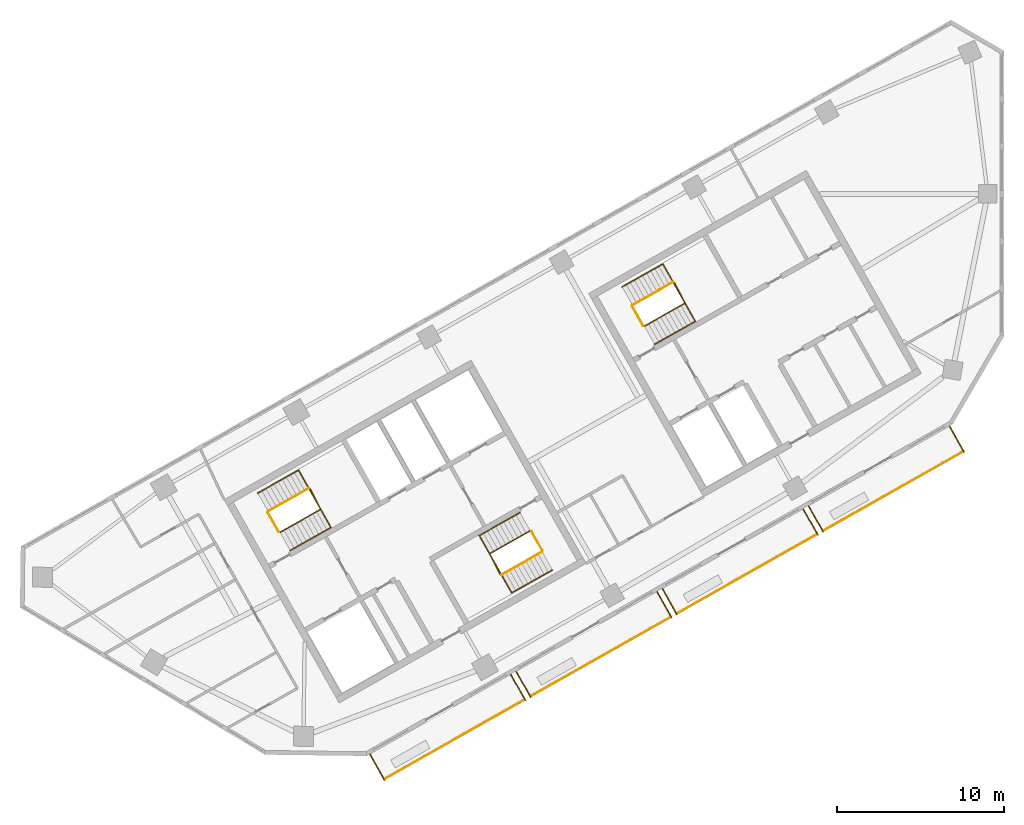
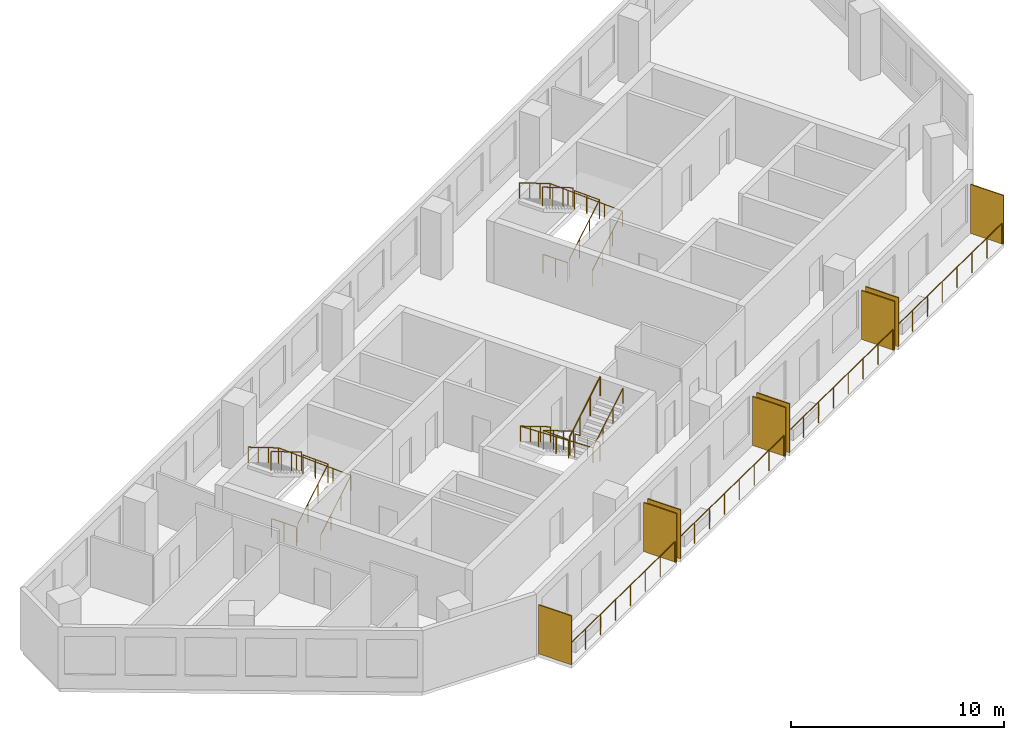
# One storey, part 6 of 7: 16 railings, 8 shading devices.
"""IFC4 building model written with IfcOpenShell, lengths in metres."""

from ifc_helpers import new_model, si_unit, direction, frame, origin, origin_2d, place, context, subcontext, project, spatial, rectangle, circle, extrude, material, layer, layer_set, type_object, element, save


model = new_model("IFC4")

# Units and contexts
model_context = context("Model", 3, precision=1e-05, world=origin(), true_north=direction((0.0, 1.0)))
body_context = subcontext(model_context, "Body", "Model", "MODEL_VIEW")
ifc_project = project(units=[si_unit("LENGTHUNIT", "METRE"), si_unit("AREAUNIT", "SQUARE_METRE"), si_unit("VOLUMEUNIT", "CUBIC_METRE"), si_unit("PLANEANGLEUNIT", "RADIAN"), si_unit("MASSUNIT", "GRAM", prefix="KILO")], contexts=[model_context])

# Site, building, storey
site_placement = place(None, origin())
site = spatial("IfcSite", under=ifc_project, at=site_placement, CompositionType="ELEMENT")
building_placement = place(site_placement, origin())
building = spatial("IfcBuilding", under=site, at=building_placement, Name="Binnacle Exchange Tower", CompositionType="ELEMENT")
storey_placement = place(building_placement, frame((0.0, 0.0, 296.89990234375)))
storey = spatial("IfcBuildingStorey", under=building, at=storey_placement, Name="L66", CompositionType="ELEMENT", Elevation=296.89990234375)

# Railings
ifc_material_1 = material(Name="Bronze anodised aluminium frame", Category="aluminium")
railing_type_1 = type_object("IfcRailingType", Name="GUARD 1200", PredefinedType="GUARDRAIL", material=ifc_material_1)
for number, where, name in (
    (1, (-37.006591796875, 24.94287109375, 0.0), "Balcony guard H07-B00 L66"),
    (2, (-28.24365234375, 29.900634765625, 0.0), "Balcony guard H07-B01 L66"),
):
    element("IfcRailing", number, at=place(storey_placement, frame(where)), inside=storey, type_object=railing_type_1, Name=name, PredefinedType="GUARDRAIL", context=body_context, shape_type="SweptSolid", body=[
        extrude(circle(Radius=0.02392578125, at=origin_2d()), frame((0.0, 0.0, 1.17578125), z_axis=(0.870359171481, 0.492417417055, 0.0), x_axis=(-0.492417417055, 0.870359171481, 0.0)), (0.0, 0.0, 1.0), 9.648193359375),
        extrude(circle(Radius=0.02099609375, at=origin_2d()), origin(), (0.0, 0.0, 1.0), 1.15185546875),
        extrude(circle(Radius=0.02099609375, at=origin_2d()), frame((1.19970703125, 0.6787109375, 0.0)), (0.0, 0.0, 1.0), 1.15185546875),
        extrude(circle(Radius=0.02099609375, at=origin_2d()), frame((2.399169921875, 1.357421875, 0.0)), (0.0, 0.0, 1.0), 1.15185546875),
        extrude(circle(Radius=0.02099609375, at=origin_2d()), frame((3.598876953125, 2.0361328125, 0.0)), (0.0, 0.0, 1.0), 1.15185546875),
        extrude(circle(Radius=0.02099609375, at=origin_2d()), frame((4.798583984375, 2.71484375, 0.0)), (0.0, 0.0, 1.0), 1.15185546875),
        extrude(circle(Radius=0.02099609375, at=origin_2d()), frame((5.998291015625, 3.3935546875, 0.0)), (0.0, 0.0, 1.0), 1.15185546875),
        extrude(circle(Radius=0.02099609375, at=origin_2d()), frame((7.19775390625, 4.072265625, 0.0)), (0.0, 0.0, 1.0), 1.15185546875),
        extrude(circle(Radius=0.02099609375, at=origin_2d()), frame((8.3974609375, 4.7509765625, 0.0)), (0.0, 0.0, 1.0), 1.15185546875),
    ])
railing_1_placement = place(storey_placement, frame((-19.480712890625, 34.8583984375, 0.0)))
element("IfcRailing", 3, at=railing_1_placement, inside=storey, type_object=railing_type_1, Name="Balcony guard H07-B02 L66", PredefinedType="GUARDRAIL", context=body_context, shape_type="SweptSolid", body=[
    extrude(circle(Radius=0.02392578125, at=origin_2d()), frame((0.0, 0.0, 1.17578125), z_axis=(0.870342190373, 0.492447430349, 0.0), x_axis=(-0.492447430349, 0.870342190373, 0.0)), (0.0, 0.0, 1.0), 9.648193359375),
    extrude(circle(Radius=0.02099609375, at=origin_2d()), origin(), (0.0, 0.0, 1.0), 1.15185546875),
    extrude(circle(Radius=0.02099609375, at=origin_2d()), frame((1.19970703125, 0.6787109375, 0.0)), (0.0, 0.0, 1.0), 1.15185546875),
    extrude(circle(Radius=0.02099609375, at=origin_2d()), frame((2.399169921875, 1.357421875, 0.0)), (0.0, 0.0, 1.0), 1.15185546875),
    extrude(circle(Radius=0.02099609375, at=origin_2d()), frame((3.598876953125, 2.0361328125, 0.0)), (0.0, 0.0, 1.0), 1.15185546875),
    extrude(circle(Radius=0.02099609375, at=origin_2d()), frame((4.79833984375, 2.715087890625, 0.0)), (0.0, 0.0, 1.0), 1.15185546875),
    extrude(circle(Radius=0.02099609375, at=origin_2d()), frame((5.998046875, 3.393798828125, 0.0)), (0.0, 0.0, 1.0), 1.15185546875),
    extrude(circle(Radius=0.02099609375, at=origin_2d()), frame((7.197509765625, 4.072509765625, 0.0)), (0.0, 0.0, 1.0), 1.15185546875),
    extrude(circle(Radius=0.02099609375, at=origin_2d()), frame((8.397216796875, 4.751220703125, 0.0)), (0.0, 0.0, 1.0), 1.15185546875),
])
railing_2_placement = place(storey_placement, frame((-10.7177734375, 39.81640625, 0.0)))
element("IfcRailing", 4, at=railing_2_placement, inside=storey, type_object=railing_type_1, Name="Balcony guard H07-B03 L66", PredefinedType="GUARDRAIL", context=body_context, shape_type="SweptSolid", body=[
    extrude(circle(Radius=0.02392578125, at=origin_2d()), frame((0.0, 0.0, 1.17578125), z_axis=(0.870353035673, 0.492428262079, 0.0), x_axis=(-0.492428262079, 0.870353035673, 0.0)), (0.0, 0.0, 1.0), 9.64794921875),
    extrude(circle(Radius=0.02099609375, at=origin_2d()), origin(), (0.0, 0.0, 1.0), 1.15185546875),
    extrude(circle(Radius=0.02099609375, at=origin_2d()), frame((1.19970703125, 0.6787109375, 0.0)), (0.0, 0.0, 1.0), 1.15185546875),
    extrude(circle(Radius=0.02099609375, at=origin_2d()), frame((2.399169921875, 1.357421875, 0.0)), (0.0, 0.0, 1.0), 1.15185546875),
    extrude(circle(Radius=0.02099609375, at=origin_2d()), frame((3.598876953125, 2.0361328125, 0.0)), (0.0, 0.0, 1.0), 1.15185546875),
    extrude(circle(Radius=0.02099609375, at=origin_2d()), frame((4.79833984375, 2.71484375, 0.0)), (0.0, 0.0, 1.0), 1.15185546875),
    extrude(circle(Radius=0.02099609375, at=origin_2d()), frame((5.998046875, 3.3935546875, 0.0)), (0.0, 0.0, 1.0), 1.15185546875),
    extrude(circle(Radius=0.02099609375, at=origin_2d()), frame((7.197509765625, 4.072265625, 0.0)), (0.0, 0.0, 1.0), 1.15185546875),
    extrude(circle(Radius=0.02099609375, at=origin_2d()), frame((8.397216796875, 4.7509765625, 0.0)), (0.0, 0.0, 1.0), 1.15185546875),
])

# Shading devices
ifc_material_2 = material(Name="Bronze aluminium louvre", Category="aluminium")
ifc_layer = layer(ifc_material_2, 0.06005859375)
ifc_layer_set = layer_set([ifc_layer], Name="PLANTED SCREEN 60x2800")
shading_device_type = type_object("IfcShadingDeviceType", Name="PLANTED SCREEN 60x2800", PredefinedType="USERDEFINED", material=ifc_layer_set)
for number, where, z_axis, x_axis, name in (
    (5, (-37.436279296875, 25.641845703125, 0.0), (0.0, 0.0, 1.0), (0.87035569594, 0.492423560103, 0.0), "Planted screen H07-B00a L66"),
    (6, (-28.98681640625, 30.42236328125, 0.0), (0.0, 0.0, 1.0), (0.87035569594, 0.492423560103, 0.0), "Planted screen H07-B00b L66"),
    (7, (-28.673583984375, 30.599609375, 0.0), (0.0, 0.0, 1.0), (0.87035569594, 0.492423560103, 0.0), "Planted screen H07-B01a L66"),
    (8, (-20.223876953125, 35.380126953125, 0.0), (0.0, 0.0, 1.0), (0.87035569594, 0.492423560103, 0.0), "Planted screen H07-B01b L66"),
    (9, (-19.91064453125, 35.5576171875, 0.0), (0.0, 0.0, 1.0), (0.87035569594, 0.492423560103, 0.0), "Planted screen H07-B02a L66"),
    (10, (-11.461181640625, 40.337890625, 0.0), (0.0, 0.0, 1.0), (0.87035569594, 0.492423560103, 0.0), "Planted screen H07-B02b L66"),
    (11, (-11.147705078125, 40.51513671875, 0.0), (0.0, 0.0, 1.0), (0.87035569594, 0.492423560103, 0.0), "Planted screen H07-B03a L66"),
    (12, (-2.697998046875, 45.2958984375, 0.0), (0.0, 0.0, 1.0), (0.87035569594, 0.492423560103, 0.0), "Planted screen H07-B03b L66"),
):
    element("IfcShadingDevice", number, at=place(storey_placement, frame(where, z_axis=z_axis, x_axis=x_axis)), inside=storey, type_object=shading_device_type, Name=name, ObjectType="SCREEN", PredefinedType="USERDEFINED", context=body_context, shape_type="SweptSolid", body=[
        extrude(rectangle(XDim=0.06005859375, YDim=1.800048828125, at=origin_2d()), origin(), (0.0, 0.0, 1.0), 2.800048828125),
    ])

# Railings
ifc_material_3 = material(Name="Steel guard rail", Category="steel")
railing_type_2 = type_object("IfcRailingType", Name="STAIR GUARD 1100", PredefinedType="GUARDRAIL", material=ifc_material_3)
railing_3_placement = place(storey_placement, frame((-43.26171875, 39.71728515625, 0.1728515625)))
element("IfcRailing", 13, at=railing_3_placement, inside=storey, type_object=railing_type_2, Name="L66 STA1 stair guard 1", PredefinedType="GUARDRAIL", context=body_context, shape_type="SweptSolid", body=[
    extrude(circle(Radius=0.02392578125, at=origin_2d()), frame((0.0, 0.0, 1.076171875), z_axis=(0.740737961854, 0.419123222656, 0.525017138862), x_axis=(-0.492453686477, 0.870338650569, 0.0)), (0.0, 0.0, 1.0), 3.2900390625),
    extrude(circle(Radius=0.02392578125, at=origin_2d()), frame((2.43701171875, 1.37890625, 2.80322265625), z_axis=(-0.461100321709, 0.887348011391, 0.0), x_axis=(-0.887348011391, -0.461100321709, 0.0)), (0.0, 0.0, 1.0), 1.40087890625),
    extrude(circle(Radius=0.02099609375, at=origin_2d()), origin(), (0.0, 0.0, 1.0), 1.052001953125),
    extrude(circle(Radius=0.02099609375, at=origin_2d()), frame((0.812255859375, 0.459716796875, 0.57568359375)), (0.0, 0.0, 1.0), 1.052001953125),
    extrude(circle(Radius=0.02099609375, at=origin_2d()), frame((1.624755859375, 0.919189453125, 1.151611328125)), (0.0, 0.0, 1.0), 1.052001953125),
    extrude(circle(Radius=0.02099609375, at=origin_2d()), frame((2.43701171875, 1.37890625, 1.727294921875)), (0.0, 0.0, 1.0), 1.052001953125),
    extrude(circle(Radius=0.02099609375, at=origin_2d()), frame((2.114013671875, 2.00048828125, 1.727294921875)), (0.0, 0.0, 1.0), 1.052001953125),
    extrude(circle(Radius=0.02099609375, at=origin_2d()), frame((1.791015625, 2.6220703125, 1.727294921875)), (0.0, 0.0, 1.0), 1.052001953125),
])
railing_4_placement = place(storey_placement, frame((-41.538818359375, 42.358154296875, 2.07275390625)))
element("IfcRailing", 14, at=railing_4_placement, inside=storey, type_object=railing_type_2, Name="L66 STA1 stair guard 2", PredefinedType="GUARDRAIL", context=body_context, shape_type="SweptSolid", body=[
    extrude(circle(Radius=0.02392578125, at=origin_2d()), frame((0.0, 0.0, 1.076171875), z_axis=(-0.740737961854, -0.419123222656, 0.525017138862), x_axis=(0.492453686477, -0.870338650569, 0.0)), (0.0, 0.0, 1.0), 3.2900390625),
    extrude(circle(Radius=0.02099609375, at=origin_2d()), origin(), (0.0, 0.0, 1.0), 1.052001953125),
    extrude(circle(Radius=0.02099609375, at=origin_2d()), frame((-0.812255859375, -0.459716796875, 0.57568359375)), (0.0, 0.0, 1.0), 1.052001953125),
    extrude(circle(Radius=0.02099609375, at=origin_2d()), frame((-1.624755859375, -0.919189453125, 1.151611328125)), (0.0, 0.0, 1.0), 1.052001953125),
    extrude(circle(Radius=0.02099609375, at=origin_2d()), frame((-2.43701171875, -1.37890625, 1.727294921875)), (0.0, 0.0, 1.0), 1.052001953125),
])
railing_5_placement = place(storey_placement, frame((-43.329833984375, 39.736328125, 0.0)))
element("IfcRailing", 15, at=railing_5_placement, inside=storey, type_object=railing_type_2, Name="L66 STA1 stair guard 3", PredefinedType="GUARDRAIL", context=body_context, shape_type="SweptSolid", body=[
    extrude(circle(Radius=0.02392578125, at=origin_2d()), frame((0.0, 0.0, 1.076171875), z_axis=(-0.4924922531, 0.870316827734, 0.0), x_axis=(-0.870316827734, -0.4924922531, 0.0)), (0.0, 0.0, 1.0), 1.349853515625),
    extrude(circle(Radius=0.02099609375, at=origin_2d()), origin(), (0.0, 0.0, 1.0), 1.052001953125),
    extrude(circle(Radius=0.02099609375, at=origin_2d()), frame((-0.33251953125, 0.58740234375, 0.0)), (0.0, 0.0, 1.0), 1.052001953125),
    extrude(circle(Radius=0.02099609375, at=origin_2d()), frame((-0.664794921875, 1.1748046875, 0.0)), (0.0, 0.0, 1.0), 1.052001953125),
])
railing_6_placement = place(storey_placement, frame((-28.265380859375, 39.814453125, 0.1728515625)))
element("IfcRailing", 16, at=railing_6_placement, inside=storey, type_object=railing_type_2, Name="L66 STA2 stair guard 1", PredefinedType="GUARDRAIL", context=body_context, shape_type="SweptSolid", body=[
    extrude(circle(Radius=0.02392578125, at=origin_2d()), frame((0.0, 0.0, 1.076171875), z_axis=(-0.740760999345, -0.419062048017, 0.525033467278), x_axis=(0.492387636113, -0.870376019777, 0.0)), (0.0, 0.0, 1.0), 3.289794921875),
    extrude(circle(Radius=0.02392578125, at=origin_2d()), frame((-2.43701171875, -1.378662109375, 2.80322265625), z_axis=(0.460963092712, -0.887419307406, 0.0), x_axis=(0.887419307406, 0.460963092712, 0.0)), (0.0, 0.0, 1.0), 1.40087890625),
    extrude(circle(Radius=0.02099609375, at=origin_2d()), origin(), (0.0, 0.0, 1.0), 1.052001953125),
    extrude(circle(Radius=0.02099609375, at=origin_2d()), frame((-0.812255859375, -0.45947265625, 0.57568359375)), (0.0, 0.0, 1.0), 1.052001953125),
    extrude(circle(Radius=0.02099609375, at=origin_2d()), frame((-1.624755859375, -0.919189453125, 1.151611328125)), (0.0, 0.0, 1.0), 1.052001953125),
    extrude(circle(Radius=0.02099609375, at=origin_2d()), frame((-2.43701171875, -1.378662109375, 1.727294921875)), (0.0, 0.0, 1.0), 1.052001953125),
    extrude(circle(Radius=0.02099609375, at=origin_2d()), frame((-2.1142578125, -2.000244140625, 1.727294921875)), (0.0, 0.0, 1.0), 1.052001953125),
    extrude(circle(Radius=0.02099609375, at=origin_2d()), frame((-1.791259765625, -2.621826171875, 1.727294921875)), (0.0, 0.0, 1.0), 1.052001953125),
])
railing_7_placement = place(storey_placement, frame((-29.988525390625, 37.173583984375, 2.07275390625)))
element("IfcRailing", 17, at=railing_7_placement, inside=storey, type_object=railing_type_2, Name="L66 STA2 stair guard 2", PredefinedType="GUARDRAIL", context=body_context, shape_type="SweptSolid", body=[
    extrude(circle(Radius=0.02392578125, at=origin_2d()), frame((0.0, 0.0, 1.076171875), z_axis=(0.740737961854, 0.419123222656, 0.525017138862), x_axis=(-0.492453686477, 0.870338650569, 0.0)), (0.0, 0.0, 1.0), 3.2900390625),
    extrude(circle(Radius=0.02099609375, at=origin_2d()), origin(), (0.0, 0.0, 1.0), 1.052001953125),
    extrude(circle(Radius=0.02099609375, at=origin_2d()), frame((0.812255859375, 0.459716796875, 0.57568359375)), (0.0, 0.0, 1.0), 1.052001953125),
    extrude(circle(Radius=0.02099609375, at=origin_2d()), frame((1.624755859375, 0.919189453125, 1.151611328125)), (0.0, 0.0, 1.0), 1.052001953125),
    extrude(circle(Radius=0.02099609375, at=origin_2d()), frame((2.43701171875, 1.37890625, 1.727294921875)), (0.0, 0.0, 1.0), 1.052001953125),
])
railing_8_placement = place(storey_placement, frame((-28.197265625, 39.795654296875, 0.0)))
element("IfcRailing", 18, at=railing_8_placement, inside=storey, type_object=railing_type_2, Name="L66 STA2 stair guard 3", PredefinedType="GUARDRAIL", context=body_context, shape_type="SweptSolid", body=[
    extrude(circle(Radius=0.02392578125, at=origin_2d()), frame((0.0, 0.0, 1.076171875), z_axis=(0.49241474071, -0.870360685654, 0.0), x_axis=(0.870360685654, 0.49241474071, 0.0)), (0.0, 0.0, 1.0), 1.35009765625),
    extrude(circle(Radius=0.02099609375, at=origin_2d()), origin(), (0.0, 0.0, 1.0), 1.052001953125),
    extrude(circle(Radius=0.02099609375, at=origin_2d()), frame((0.33251953125, -0.58740234375, 0.0)), (0.0, 0.0, 1.0), 1.052001953125),
    extrude(circle(Radius=0.02099609375, at=origin_2d()), frame((0.664794921875, -1.175048828125, 0.0)), (0.0, 0.0, 1.0), 1.052001953125),
])
railing_9_placement = place(storey_placement, frame((-21.423828125, 52.07275390625, 0.1728515625)))
element("IfcRailing", 19, at=railing_9_placement, inside=storey, type_object=railing_type_2, Name="L66 STC1 stair guard 1", PredefinedType="GUARDRAIL", context=body_context, shape_type="SweptSolid", body=[
    extrude(circle(Radius=0.02392578125, at=origin_2d()), frame((0.0, 0.0, 1.076171875), z_axis=(0.740760999345, 0.419062048017, 0.525033467278), x_axis=(-0.492387636113, 0.870376019777, 0.0)), (0.0, 0.0, 1.0), 3.289794921875),
    extrude(circle(Radius=0.02392578125, at=origin_2d()), frame((2.43701171875, 1.378662109375, 2.80322265625), z_axis=(-0.460963092712, 0.887419307406, 0.0), x_axis=(-0.887419307406, -0.460963092712, 0.0)), (0.0, 0.0, 1.0), 1.40087890625),
    extrude(circle(Radius=0.02099609375, at=origin_2d()), origin(), (0.0, 0.0, 1.0), 1.052001953125),
    extrude(circle(Radius=0.02099609375, at=origin_2d()), frame((0.812255859375, 0.45947265625, 0.57568359375)), (0.0, 0.0, 1.0), 1.052001953125),
    extrude(circle(Radius=0.02099609375, at=origin_2d()), frame((1.624755859375, 0.919189453125, 1.151611328125)), (0.0, 0.0, 1.0), 1.052001953125),
    extrude(circle(Radius=0.02099609375, at=origin_2d()), frame((2.43701171875, 1.378662109375, 1.727294921875)), (0.0, 0.0, 1.0), 1.052001953125),
    extrude(circle(Radius=0.02099609375, at=origin_2d()), frame((2.1142578125, 2.000244140625, 1.727294921875)), (0.0, 0.0, 1.0), 1.052001953125),
    extrude(circle(Radius=0.02099609375, at=origin_2d()), frame((1.791259765625, 2.621826171875, 1.727294921875)), (0.0, 0.0, 1.0), 1.052001953125),
])
railing_10_placement = place(storey_placement, frame((-19.70068359375, 54.71337890625, 2.07275390625)))
element("IfcRailing", 20, at=railing_10_placement, inside=storey, type_object=railing_type_2, Name="L66 STC1 stair guard 2", PredefinedType="GUARDRAIL", context=body_context, shape_type="SweptSolid", body=[
    extrude(circle(Radius=0.02392578125, at=origin_2d()), frame((0.0, 0.0, 1.076171875), z_axis=(-0.740760999345, -0.419062048017, 0.525033467278), x_axis=(0.492387636113, -0.870376019777, 0.0)), (0.0, 0.0, 1.0), 3.289794921875),
    extrude(circle(Radius=0.02099609375, at=origin_2d()), origin(), (0.0, 0.0, 1.0), 1.052001953125),
    extrude(circle(Radius=0.02099609375, at=origin_2d()), frame((-0.812255859375, -0.45947265625, 0.57568359375)), (0.0, 0.0, 1.0), 1.052001953125),
    extrude(circle(Radius=0.02099609375, at=origin_2d()), frame((-1.624755859375, -0.919189453125, 1.151611328125)), (0.0, 0.0, 1.0), 1.052001953125),
    extrude(circle(Radius=0.02099609375, at=origin_2d()), frame((-2.43701171875, -1.378662109375, 1.727294921875)), (0.0, 0.0, 1.0), 1.052001953125),
])
railing_11_placement = place(storey_placement, frame((-21.491943359375, 52.091552734375, 0.0)))
element("IfcRailing", 21, at=railing_11_placement, inside=storey, type_object=railing_type_2, Name="L66 STC1 stair guard 3", PredefinedType="GUARDRAIL", context=body_context, shape_type="SweptSolid", body=[
    extrude(circle(Radius=0.02392578125, at=origin_2d()), frame((0.0, 0.0, 1.076171875), z_axis=(-0.49241474071, 0.870360685654, 0.0), x_axis=(-0.870360685654, -0.49241474071, 0.0)), (0.0, 0.0, 1.0), 1.35009765625),
    extrude(circle(Radius=0.02099609375, at=origin_2d()), origin(), (0.0, 0.0, 1.0), 1.052001953125),
    extrude(circle(Radius=0.02099609375, at=origin_2d()), frame((-0.33251953125, 0.58740234375, 0.0)), (0.0, 0.0, 1.0), 1.052001953125),
    extrude(circle(Radius=0.02099609375, at=origin_2d()), frame((-0.664794921875, 1.175048828125, 0.0)), (0.0, 0.0, 1.0), 1.052001953125),
])
ifc_material_4 = material(Name="Steel handrail", Category="steel")
railing_type_3 = type_object("IfcRailingType", Name="STAIR HANDRAIL 900", PredefinedType="HANDRAIL", material=ifc_material_4)
railing_12_placement = place(storey_placement, frame((-42.646240234375, 38.62939453125, 0.1728515625)))
element("IfcRailing", 22, at=railing_12_placement, inside=storey, type_object=railing_type_3, Name="L66 STA1 stair handrail 1", PredefinedType="HANDRAIL", context=body_context, shape_type="SweptSolid", body=[
    extrude(circle(Radius=0.02392578125, at=origin_2d()), frame((0.0, 0.0, 0.8759765625), z_axis=(0.740760999345, 0.419062048017, 0.525033467278), x_axis=(-0.492387636113, 0.870376019777, 0.0)), (0.0, 0.0, 1.0), 3.289794921875),
    extrude(circle(Radius=0.02392578125, at=origin_2d()), frame((2.43701171875, 1.378662109375, 2.60302734375), z_axis=(-0.491944173491, 0.869531549026, 0.043655645871), x_axis=(-0.870361318571, -0.492413622004, 0.0)), (0.0, 0.0, 1.0), 3.953857421875),
    extrude(circle(Radius=0.02392578125, at=origin_2d()), frame((0.491943359375, 4.816650390625, 2.77587890625), z_axis=(-0.740760999345, -0.419062048017, 0.525033467278), x_axis=(0.492387636113, -0.870376019777, 0.0)), (0.0, 0.0, 1.0), 3.289794921875),
    extrude(circle(Radius=0.02099609375, at=origin_2d()), origin(), (0.0, 0.0, 1.0), 0.851806640625),
    extrude(circle(Radius=0.02099609375, at=origin_2d()), frame((0.812255859375, 0.45947265625, 0.57568359375)), (0.0, 0.0, 1.0), 0.851806640625),
    extrude(circle(Radius=0.02099609375, at=origin_2d()), frame((1.624755859375, 0.919189453125, 1.151611328125)), (0.0, 0.0, 1.0), 0.851806640625),
    extrude(circle(Radius=0.02099609375, at=origin_2d()), frame((2.43701171875, 1.378662109375, 1.727294921875)), (0.0, 0.0, 1.0), 0.851806640625),
    extrude(circle(Radius=0.02099609375, at=origin_2d()), frame((1.95068359375, 2.23828125, 1.7705078125)), (0.0, 0.0, 1.0), 0.851806640625),
    extrude(circle(Radius=0.02099609375, at=origin_2d()), frame((1.46435546875, 3.09765625, 1.8134765625)), (0.0, 0.0, 1.0), 0.851806640625),
    extrude(circle(Radius=0.02099609375, at=origin_2d()), frame((0.978271484375, 3.95703125, 1.856689453125)), (0.0, 0.0, 1.0), 0.851806640625),
    extrude(circle(Radius=0.02099609375, at=origin_2d()), frame((0.491943359375, 4.816650390625, 1.89990234375)), (0.0, 0.0, 1.0), 0.851806640625),
    extrude(circle(Radius=0.02099609375, at=origin_2d()), frame((-0.3203125, 4.357177734375, 2.4755859375)), (0.0, 0.0, 1.0), 0.851806640625),
    extrude(circle(Radius=0.02099609375, at=origin_2d()), frame((-1.1328125, 3.8974609375, 3.051513671875)), (0.0, 0.0, 1.0), 0.851806640625),
    extrude(circle(Radius=0.02099609375, at=origin_2d()), frame((-1.945068359375, 3.43798828125, 3.627197265625)), (0.0, 0.0, 1.0), 0.851806640625),
])
railing_13_placement = place(storey_placement, frame((-28.880859375, 40.90234375, 0.1728515625)))
element("IfcRailing", 23, at=railing_13_placement, inside=storey, type_object=railing_type_3, Name="L66 STA2 stair handrail 1", PredefinedType="HANDRAIL", context=body_context, shape_type="SweptSolid", body=[
    extrude(circle(Radius=0.02392578125, at=origin_2d()), frame((0.0, 0.0, 0.8759765625), z_axis=(-0.740760999345, -0.419062048017, 0.525033467278), x_axis=(0.492387636113, -0.870376019777, 0.0)), (0.0, 0.0, 1.0), 3.289794921875),
    extrude(circle(Radius=0.02392578125, at=origin_2d()), frame((-2.43701171875, -1.378662109375, 2.60302734375), z_axis=(0.491944173491, -0.869531549026, 0.043655645871), x_axis=(0.870361318571, 0.492413622004, 0.0)), (0.0, 0.0, 1.0), 3.953857421875),
    extrude(circle(Radius=0.02392578125, at=origin_2d()), frame((-0.491943359375, -4.816650390625, 2.77587890625), z_axis=(0.740737961854, 0.419123222656, 0.525017138862), x_axis=(-0.492453686477, 0.870338650569, 0.0)), (0.0, 0.0, 1.0), 3.2900390625),
    extrude(circle(Radius=0.02099609375, at=origin_2d()), origin(), (0.0, 0.0, 1.0), 0.851806640625),
    extrude(circle(Radius=0.02099609375, at=origin_2d()), frame((-0.812255859375, -0.45947265625, 0.57568359375)), (0.0, 0.0, 1.0), 0.851806640625),
    extrude(circle(Radius=0.02099609375, at=origin_2d()), frame((-1.624755859375, -0.919189453125, 1.151611328125)), (0.0, 0.0, 1.0), 0.851806640625),
    extrude(circle(Radius=0.02099609375, at=origin_2d()), frame((-2.43701171875, -1.378662109375, 1.727294921875)), (0.0, 0.0, 1.0), 0.851806640625),
    extrude(circle(Radius=0.02099609375, at=origin_2d()), frame((-1.95068359375, -2.23828125, 1.7705078125)), (0.0, 0.0, 1.0), 0.851806640625),
    extrude(circle(Radius=0.02099609375, at=origin_2d()), frame((-1.46435546875, -3.09765625, 1.8134765625)), (0.0, 0.0, 1.0), 0.851806640625),
    extrude(circle(Radius=0.02099609375, at=origin_2d()), frame((-0.978271484375, -3.95703125, 1.856689453125)), (0.0, 0.0, 1.0), 0.851806640625),
    extrude(circle(Radius=0.02099609375, at=origin_2d()), frame((-0.491943359375, -4.816650390625, 1.89990234375)), (0.0, 0.0, 1.0), 0.851806640625),
    extrude(circle(Radius=0.02099609375, at=origin_2d()), frame((0.3203125, -4.35693359375, 2.4755859375)), (0.0, 0.0, 1.0), 0.851806640625),
    extrude(circle(Radius=0.02099609375, at=origin_2d()), frame((1.1328125, -3.8974609375, 3.051513671875)), (0.0, 0.0, 1.0), 0.851806640625),
    extrude(circle(Radius=0.02099609375, at=origin_2d()), frame((1.945068359375, -3.437744140625, 3.627197265625)), (0.0, 0.0, 1.0), 0.851806640625),
])
railing_14_placement = place(storey_placement, frame((-20.808349609375, 50.984619140625, 0.1728515625)))
element("IfcRailing", 24, at=railing_14_placement, inside=storey, type_object=railing_type_3, Name="L66 STC1 stair handrail 1", PredefinedType="HANDRAIL", context=body_context, shape_type="SweptSolid", body=[
    extrude(circle(Radius=0.02392578125, at=origin_2d()), frame((0.0, 0.0, 0.8759765625), z_axis=(0.740737961854, 0.419123222656, 0.525017138862), x_axis=(-0.492453686477, 0.870338650569, 0.0)), (0.0, 0.0, 1.0), 3.2900390625),
    extrude(circle(Radius=0.02392578125, at=origin_2d()), frame((2.43701171875, 1.37890625, 2.60302734375), z_axis=(-0.49197058795, 0.869516486623, 0.043657989918), x_axis=(-0.87034633103, -0.492440112159, 0.0)), (0.0, 0.0, 1.0), 3.95361328125),
    extrude(circle(Radius=0.02392578125, at=origin_2d()), frame((0.491943359375, 4.816650390625, 2.77587890625), z_axis=(-0.740760999345, -0.419062048017, 0.525033467278), x_axis=(0.492387636113, -0.870376019777, 0.0)), (0.0, 0.0, 1.0), 3.289794921875),
    extrude(circle(Radius=0.02099609375, at=origin_2d()), origin(), (0.0, 0.0, 1.0), 0.851806640625),
    extrude(circle(Radius=0.02099609375, at=origin_2d()), frame((0.812255859375, 0.459716796875, 0.57568359375)), (0.0, 0.0, 1.0), 0.851806640625),
    extrude(circle(Radius=0.02099609375, at=origin_2d()), frame((1.624755859375, 0.919189453125, 1.151611328125)), (0.0, 0.0, 1.0), 0.851806640625),
    extrude(circle(Radius=0.02099609375, at=origin_2d()), frame((2.43701171875, 1.37890625, 1.727294921875)), (0.0, 0.0, 1.0), 0.851806640625),
    extrude(circle(Radius=0.02099609375, at=origin_2d()), frame((1.95068359375, 2.23828125, 1.7705078125)), (0.0, 0.0, 1.0), 0.851806640625),
    extrude(circle(Radius=0.02099609375, at=origin_2d()), frame((1.46435546875, 3.09765625, 1.8134765625)), (0.0, 0.0, 1.0), 0.851806640625),
    extrude(circle(Radius=0.02099609375, at=origin_2d()), frame((0.978271484375, 3.957275390625, 1.856689453125)), (0.0, 0.0, 1.0), 0.851806640625),
    extrude(circle(Radius=0.02099609375, at=origin_2d()), frame((0.491943359375, 4.816650390625, 1.89990234375)), (0.0, 0.0, 1.0), 0.851806640625),
    extrude(circle(Radius=0.02099609375, at=origin_2d()), frame((-0.3203125, 4.357177734375, 2.4755859375)), (0.0, 0.0, 1.0), 0.851806640625),
    extrude(circle(Radius=0.02099609375, at=origin_2d()), frame((-1.1328125, 3.8974609375, 3.051513671875)), (0.0, 0.0, 1.0), 0.851806640625),
    extrude(circle(Radius=0.02099609375, at=origin_2d()), frame((-1.945068359375, 3.43798828125, 3.627197265625)), (0.0, 0.0, 1.0), 0.851806640625),
])

save(model, "model.ifc")
